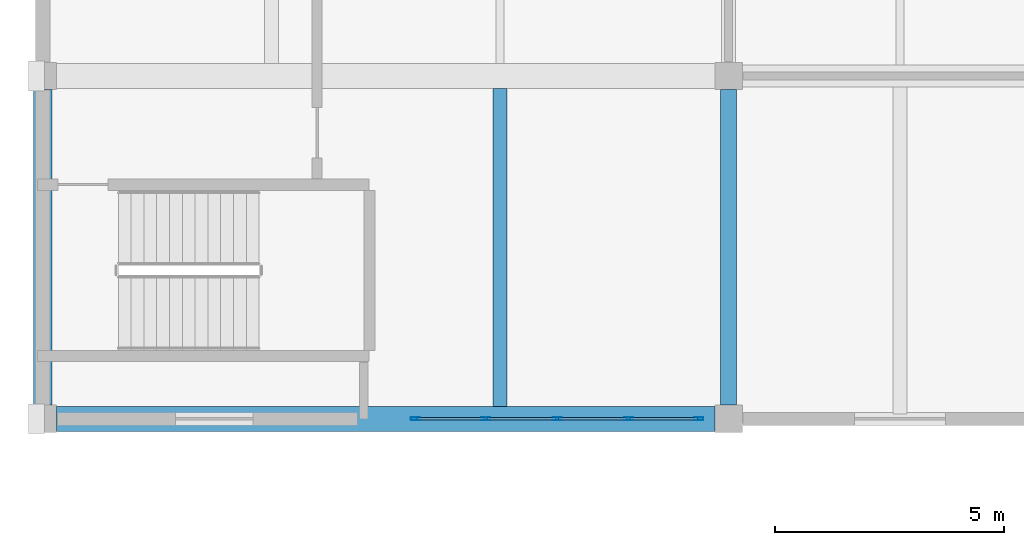
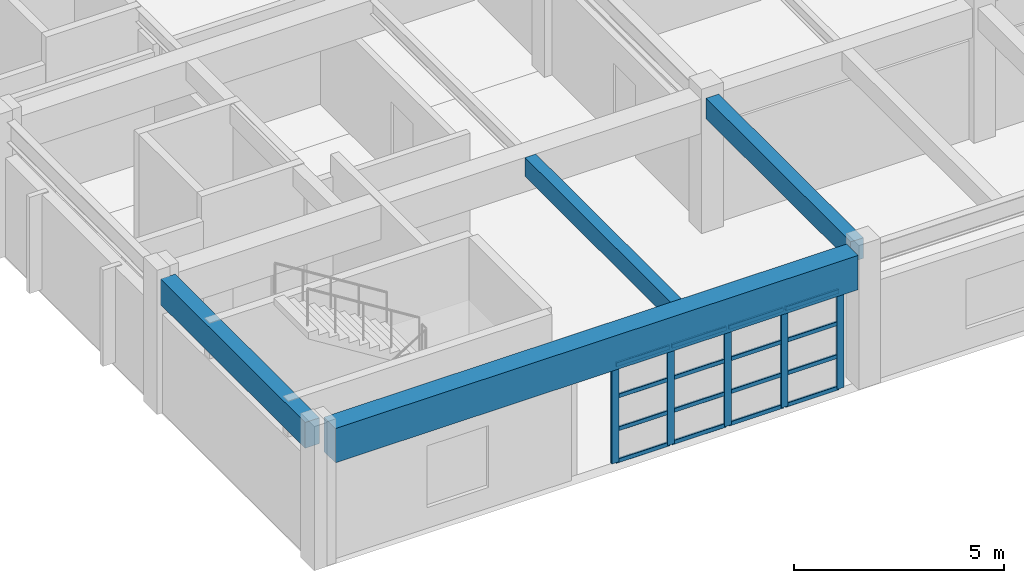
# One storey, part 41 of 124: 21 members, 4 beams, 1 element without a shape of its own.
"""IFC4 building model written with IfcOpenShell, lengths in metres."""

from ifc_helpers import new_model, si_unit, direction, frame, origin, origin_2d, place, context, subcontext, project, spatial, rectangle, hollow_rectangle, extrude, material, material_profile, profile_set, type_object, element, aggregate, save


model = new_model("IFC4")

# Units and contexts
model_context = context("Model", 3, precision=1e-05, world=origin(), true_north=direction((0.0, 1.0)))
body_context = subcontext(model_context, "Body", "Model", "MODEL_VIEW")
ifc_project = project(units=[si_unit("LENGTHUNIT", "METRE"), si_unit("AREAUNIT", "SQUARE_METRE"), si_unit("VOLUMEUNIT", "CUBIC_METRE"), si_unit("PLANEANGLEUNIT", "RADIAN"), si_unit("MASSUNIT", "GRAM", prefix="KILO")], contexts=[model_context])

# Site, building, storey
site_placement = place(None, origin())
site = spatial("IfcSite", under=ifc_project, at=site_placement, CompositionType="ELEMENT")
building_placement = place(site_placement, origin())
building = spatial("IfcBuilding", under=site, at=building_placement, Name="Qasida Concert Hall", CompositionType="ELEMENT")
storey_placement = place(building_placement, frame((0.0, 0.0, 9.0)))
storey = spatial("IfcBuildingStorey", under=building, at=storey_placement, Name="L02", CompositionType="ELEMENT", Elevation=9.0)

# Beams
ifc_material_1 = material(Name="Concrete C40/50", Category="concrete")
ifc_material_profile_1 = material_profile(ifc_material_1, rectangle(XDim=0.35009765625, YDim=0.60009765625, at=origin_2d()), Name="RC 350x600")
ifc_profile_set_1 = profile_set([ifc_material_profile_1], Name="Concrete C40/50")
beam_type_1 = type_object("IfcBeamType", Name="BM-B2", PredefinedType="BEAM", material=ifc_profile_set_1)
beam_1_placement = place(storey_placement, frame((15.0, 75.300048828125, 3.60009765625), z_axis=(0.0, 1.0, 0.0), x_axis=(-1.0, 0.0, 0.0)))
element("IfcBeam", 1, at=beam_1_placement, inside=storey, type_object=beam_type_1, Name="L02 girder 1467", PredefinedType="BEAM", context=body_context, shape_type="SweptSolid", body=[
    extrude(rectangle(XDim=0.35009765625, YDim=0.60009765625, at=origin_2d()), origin(), (0.0, 0.0, 1.0), 6.89990234375),
])
ifc_material_profile_2 = material_profile(ifc_material_1, rectangle(XDim=0.550048828125, YDim=1.0, at=origin_2d()), Name="RC 550x1000")
ifc_profile_set_2 = profile_set([ifc_material_profile_2], Name="Concrete C40/50")
beam_type_2 = type_object("IfcBeamType", Name="BM-G3", PredefinedType="USERDEFINED", material=ifc_profile_set_2)
beam_2_placement = place(storey_placement, frame((0.300048828125, 75.0, 3.39990234375), z_axis=(1.0, 0.0, 0.0), x_axis=(0.0, 1.0, 0.0)))
element("IfcBeam", 2, at=beam_2_placement, inside=storey, type_object=beam_type_2, Name="Primary girder 1438", ObjectType="GIRDER", PredefinedType="USERDEFINED", context=body_context, shape_type="SweptSolid", body=[
    extrude(rectangle(XDim=0.550048828125, YDim=1.0, at=origin_2d()), origin(), (0.0, 0.0, 1.0), 14.39990234375),
])
ifc_material_profile_3 = material_profile(ifc_material_1, rectangle(XDim=0.300048828125, YDim=0.550048828125, at=origin_2d()), Name="RC 300x550")
ifc_profile_set_3 = profile_set([ifc_material_profile_3], Name="Concrete C40/50")
beam_type_3 = type_object("IfcBeamType", Name="BM-J1", PredefinedType="JOIST", material=ifc_profile_set_3)
beam_3_placement = place(storey_placement, frame((10.0, 75.27490234375, 3.625), z_axis=(0.0, 1.0, 0.0), x_axis=(-1.0, 0.0, 0.0)))
element("IfcBeam", 3, at=beam_3_placement, inside=storey, type_object=beam_type_3, Name="L02 secondary joist 1487", PredefinedType="JOIST", context=body_context, shape_type="SweptSolid", body=[
    extrude(rectangle(XDim=0.300048828125, YDim=0.550048828125, at=origin_2d()), origin(), (0.0, 0.0, 1.0), 6.9501953125),
])
ifc_material_profile_4 = material_profile(ifc_material_1, rectangle(XDim=0.39990234375, YDim=0.75, at=origin_2d()), Name="RC 400x750")
ifc_profile_set_4 = profile_set([ifc_material_profile_4], Name="Concrete C40/50")
beam_type_4 = type_object("IfcBeamType", Name="BM-SP1", PredefinedType="SPANDREL", material=ifc_profile_set_4)
beam_4_placement = place(storey_placement, frame((0.0, 75.300048828125, 3.52490234375), z_axis=(0.0, 1.0, 0.0), x_axis=(-1.0, 0.0, 0.0)))
element("IfcBeam", 4, at=beam_4_placement, inside=storey, type_object=beam_type_4, Name="L02 girder 1462", PredefinedType="SPANDREL", context=body_context, shape_type="SweptSolid", body=[
    extrude(rectangle(XDim=0.39990234375, YDim=0.75, at=origin_2d()), origin(), (0.0, 0.0, 1.0), 6.89990234375),
])

# Curtain wall, members
ifc_material_2 = material(Name="Architectural bronze-anodized aluminium and low-E glass", Category="aluminium")
curtain_wall_type = type_object("IfcCurtainWallType", Name="CW-08", PredefinedType="NOTDEFINED", material=ifc_material_2)
curtain_wall_placement = place(storey_placement, origin())
curtain_wall = element("IfcCurtainWall", 5, at=curtain_wall_placement, inside=storey, type_object=curtain_wall_type, Name="L02 curtain wall CW-08 0188", PredefinedType="NOTDEFINED")
ifc_material_3 = material(Name="Architectural bronze-anodized aluminium EN AW-6063", Category="aluminium")
ifc_material_profile_5 = material_profile(ifc_material_3, hollow_rectangle(XDim=0.06494140625, YDim=0.199951171875, WallThickness=0.0048828125, InnerFilletRadius=0.0048828125, OuterFilletRadius=0.010009765625, at=origin_2d()), Name="CWM 200x65x5")
ifc_profile_set_5 = profile_set([ifc_material_profile_5], Name="Architectural bronze-anodized aluminium EN AW-6063")
member_type_1 = type_object("IfcMemberType", Name="MB-CWM-2", PredefinedType="MULLION", material=ifc_profile_set_5)
member_1_placement = place(storey_placement, frame((8.152587890625, 75.0, 0.0), z_axis=(0.0, 0.0, 1.0), x_axis=(0.0, 1.0, 0.0)))
member_1 = element("IfcMember", 6, at=member_1_placement, type_object=member_type_1, Name="CW-08 mullion 1", PredefinedType="MULLION", context=body_context, shape_type="SweptSolid", body=[
    extrude(hollow_rectangle(XDim=0.06494140625, YDim=0.199951171875, WallThickness=0.0048828125, InnerFilletRadius=0.0048828125, OuterFilletRadius=0.010009765625, at=origin_2d()), origin(), (0.0, 0.0, 1.0), 2.8701171875),
])
member_2_placement = place(storey_placement, frame((9.68505859375, 75.0, 0.0), z_axis=(0.0, 0.0, 1.0), x_axis=(0.0, 1.0, 0.0)))
member_2 = element("IfcMember", 7, at=member_2_placement, type_object=member_type_1, Name="CW-08 mullion 2", PredefinedType="MULLION", context=body_context, shape_type="SweptSolid", body=[
    extrude(hollow_rectangle(XDim=0.06494140625, YDim=0.199951171875, WallThickness=0.0048828125, InnerFilletRadius=0.0048828125, OuterFilletRadius=0.010009765625, at=origin_2d()), origin(), (0.0, 0.0, 1.0), 2.8701171875),
])
member_3_placement = place(storey_placement, frame((11.25, 75.0, 0.0), z_axis=(0.0, 0.0, 1.0), x_axis=(0.0, 1.0, 0.0)))
member_3 = element("IfcMember", 8, at=member_3_placement, type_object=member_type_1, Name="CW-08 mullion 3", PredefinedType="MULLION", context=body_context, shape_type="SweptSolid", body=[
    extrude(hollow_rectangle(XDim=0.06494140625, YDim=0.199951171875, WallThickness=0.0048828125, InnerFilletRadius=0.0048828125, OuterFilletRadius=0.010009765625, at=origin_2d()), origin(), (0.0, 0.0, 1.0), 2.8701171875),
])
member_4_placement = place(storey_placement, frame((12.81494140625, 75.0, 0.0), z_axis=(0.0, 0.0, 1.0), x_axis=(0.0, 1.0, 0.0)))
member_4 = element("IfcMember", 9, at=member_4_placement, type_object=member_type_1, Name="CW-08 mullion 4", PredefinedType="MULLION", context=body_context, shape_type="SweptSolid", body=[
    extrude(hollow_rectangle(XDim=0.06494140625, YDim=0.199951171875, WallThickness=0.0048828125, InnerFilletRadius=0.0048828125, OuterFilletRadius=0.010009765625, at=origin_2d()), origin(), (0.0, 0.0, 1.0), 2.8701171875),
])
member_5_placement = place(storey_placement, frame((14.347412109375, 75.0, 0.0), z_axis=(0.0, 0.0, 1.0), x_axis=(0.0, 1.0, 0.0)))
member_5 = element("IfcMember", 10, at=member_5_placement, type_object=member_type_1, Name="CW-08 mullion 5", PredefinedType="MULLION", context=body_context, shape_type="SweptSolid", body=[
    extrude(hollow_rectangle(XDim=0.06494140625, YDim=0.199951171875, WallThickness=0.0048828125, InnerFilletRadius=0.0048828125, OuterFilletRadius=0.010009765625, at=origin_2d()), origin(), (0.0, 0.0, 1.0), 2.8701171875),
])
ifc_material_profile_6 = material_profile(ifc_material_3, hollow_rectangle(XDim=0.06005859375, YDim=0.1201171875, WallThickness=0.00390625, InnerFilletRadius=0.00390625, OuterFilletRadius=0.008056640625, at=origin_2d()), Name="CWT 120x60x4")
ifc_profile_set_6 = profile_set([ifc_material_profile_6], Name="Architectural bronze-anodized aluminium EN AW-6063")
member_type_2 = type_object("IfcMemberType", Name="MB-CWT-2", PredefinedType="USERDEFINED", material=ifc_profile_set_6)
member_6_placement = place(storey_placement, frame((8.18505859375, 75.0, 0.030029296875), z_axis=(1.0, 0.0, 0.0), x_axis=(0.0, 1.0, 0.0)))
member_6 = element("IfcMember", 11, at=member_6_placement, type_object=member_type_2, Name="CW-08 transom 1.1", ObjectType="TRANSOM", PredefinedType="USERDEFINED", context=body_context, shape_type="SweptSolid", body=[
    extrude(hollow_rectangle(XDim=0.06005859375, YDim=0.1201171875, WallThickness=0.00390625, InnerFilletRadius=0.00390625, OuterFilletRadius=0.008056640625, at=origin_2d()), origin(), (0.0, 0.0, 1.0), 1.467529296875),
])
member_7_placement = place(storey_placement, frame((8.18505859375, 75.0, 0.956787109375), z_axis=(1.0, 0.0, 0.0), x_axis=(0.0, 1.0, 0.0)))
member_7 = element("IfcMember", 12, at=member_7_placement, type_object=member_type_2, Name="CW-08 transom 1.2", ObjectType="TRANSOM", PredefinedType="USERDEFINED", context=body_context, shape_type="SweptSolid", body=[
    extrude(hollow_rectangle(XDim=0.06005859375, YDim=0.1201171875, WallThickness=0.00390625, InnerFilletRadius=0.00390625, OuterFilletRadius=0.008056640625, at=origin_2d()), origin(), (0.0, 0.0, 1.0), 1.467529296875),
])
member_8_placement = place(storey_placement, frame((8.18505859375, 75.0, 1.913330078125), z_axis=(1.0, 0.0, 0.0), x_axis=(0.0, 1.0, 0.0)))
member_8 = element("IfcMember", 13, at=member_8_placement, type_object=member_type_2, Name="CW-08 transom 1.3", ObjectType="TRANSOM", PredefinedType="USERDEFINED", context=body_context, shape_type="SweptSolid", body=[
    extrude(hollow_rectangle(XDim=0.06005859375, YDim=0.1201171875, WallThickness=0.00390625, InnerFilletRadius=0.00390625, OuterFilletRadius=0.008056640625, at=origin_2d()), origin(), (0.0, 0.0, 1.0), 1.467529296875),
])
member_9_placement = place(storey_placement, frame((8.18505859375, 75.0, 2.840087890625), z_axis=(1.0, 0.0, 0.0), x_axis=(0.0, 1.0, 0.0)))
member_9 = element("IfcMember", 14, at=member_9_placement, type_object=member_type_2, Name="CW-08 transom 1.4", ObjectType="TRANSOM", PredefinedType="USERDEFINED", context=body_context, shape_type="SweptSolid", body=[
    extrude(hollow_rectangle(XDim=0.06005859375, YDim=0.1201171875, WallThickness=0.00390625, InnerFilletRadius=0.00390625, OuterFilletRadius=0.008056640625, at=origin_2d()), origin(), (0.0, 0.0, 1.0), 1.467529296875),
])
member_10_placement = place(storey_placement, frame((9.717529296875, 75.0, 0.030029296875), z_axis=(1.0, 0.0, 0.0), x_axis=(0.0, 1.0, 0.0)))
member_10 = element("IfcMember", 15, at=member_10_placement, type_object=member_type_2, Name="CW-08 transom 2.1", ObjectType="TRANSOM", PredefinedType="USERDEFINED", context=body_context, shape_type="SweptSolid", body=[
    extrude(hollow_rectangle(XDim=0.06005859375, YDim=0.1201171875, WallThickness=0.00390625, InnerFilletRadius=0.00390625, OuterFilletRadius=0.008056640625, at=origin_2d()), origin(), (0.0, 0.0, 1.0), 1.5),
])
member_11_placement = place(storey_placement, frame((9.717529296875, 75.0, 0.956787109375), z_axis=(1.0, 0.0, 0.0), x_axis=(0.0, 1.0, 0.0)))
member_11 = element("IfcMember", 16, at=member_11_placement, type_object=member_type_2, Name="CW-08 transom 2.2", ObjectType="TRANSOM", PredefinedType="USERDEFINED", context=body_context, shape_type="SweptSolid", body=[
    extrude(hollow_rectangle(XDim=0.06005859375, YDim=0.1201171875, WallThickness=0.00390625, InnerFilletRadius=0.00390625, OuterFilletRadius=0.008056640625, at=origin_2d()), origin(), (0.0, 0.0, 1.0), 1.5),
])
member_12_placement = place(storey_placement, frame((9.717529296875, 75.0, 1.913330078125), z_axis=(1.0, 0.0, 0.0), x_axis=(0.0, 1.0, 0.0)))
member_12 = element("IfcMember", 17, at=member_12_placement, type_object=member_type_2, Name="CW-08 transom 2.3", ObjectType="TRANSOM", PredefinedType="USERDEFINED", context=body_context, shape_type="SweptSolid", body=[
    extrude(hollow_rectangle(XDim=0.06005859375, YDim=0.1201171875, WallThickness=0.00390625, InnerFilletRadius=0.00390625, OuterFilletRadius=0.008056640625, at=origin_2d()), origin(), (0.0, 0.0, 1.0), 1.5),
])
member_13_placement = place(storey_placement, frame((9.717529296875, 75.0, 2.840087890625), z_axis=(1.0, 0.0, 0.0), x_axis=(0.0, 1.0, 0.0)))
member_13 = element("IfcMember", 18, at=member_13_placement, type_object=member_type_2, Name="CW-08 transom 2.4", ObjectType="TRANSOM", PredefinedType="USERDEFINED", context=body_context, shape_type="SweptSolid", body=[
    extrude(hollow_rectangle(XDim=0.06005859375, YDim=0.1201171875, WallThickness=0.00390625, InnerFilletRadius=0.00390625, OuterFilletRadius=0.008056640625, at=origin_2d()), origin(), (0.0, 0.0, 1.0), 1.5),
])
member_14_placement = place(storey_placement, frame((11.282470703125, 75.0, 0.030029296875), z_axis=(1.0, 0.0, 0.0), x_axis=(0.0, 1.0, 0.0)))
member_14 = element("IfcMember", 19, at=member_14_placement, type_object=member_type_2, Name="CW-08 transom 3.1", ObjectType="TRANSOM", PredefinedType="USERDEFINED", context=body_context, shape_type="SweptSolid", body=[
    extrude(hollow_rectangle(XDim=0.06005859375, YDim=0.1201171875, WallThickness=0.00390625, InnerFilletRadius=0.00390625, OuterFilletRadius=0.008056640625, at=origin_2d()), origin(), (0.0, 0.0, 1.0), 1.5),
])
member_15_placement = place(storey_placement, frame((11.282470703125, 75.0, 0.956787109375), z_axis=(1.0, 0.0, 0.0), x_axis=(0.0, 1.0, 0.0)))
member_15 = element("IfcMember", 20, at=member_15_placement, type_object=member_type_2, Name="CW-08 transom 3.2", ObjectType="TRANSOM", PredefinedType="USERDEFINED", context=body_context, shape_type="SweptSolid", body=[
    extrude(hollow_rectangle(XDim=0.06005859375, YDim=0.1201171875, WallThickness=0.00390625, InnerFilletRadius=0.00390625, OuterFilletRadius=0.008056640625, at=origin_2d()), origin(), (0.0, 0.0, 1.0), 1.5),
])
member_16_placement = place(storey_placement, frame((11.282470703125, 75.0, 1.913330078125), z_axis=(1.0, 0.0, 0.0), x_axis=(0.0, 1.0, 0.0)))
member_16 = element("IfcMember", 21, at=member_16_placement, type_object=member_type_2, Name="CW-08 transom 3.3", ObjectType="TRANSOM", PredefinedType="USERDEFINED", context=body_context, shape_type="SweptSolid", body=[
    extrude(hollow_rectangle(XDim=0.06005859375, YDim=0.1201171875, WallThickness=0.00390625, InnerFilletRadius=0.00390625, OuterFilletRadius=0.008056640625, at=origin_2d()), origin(), (0.0, 0.0, 1.0), 1.5),
])
member_17_placement = place(storey_placement, frame((11.282470703125, 75.0, 2.840087890625), z_axis=(1.0, 0.0, 0.0), x_axis=(0.0, 1.0, 0.0)))
member_17 = element("IfcMember", 22, at=member_17_placement, type_object=member_type_2, Name="CW-08 transom 3.4", ObjectType="TRANSOM", PredefinedType="USERDEFINED", context=body_context, shape_type="SweptSolid", body=[
    extrude(hollow_rectangle(XDim=0.06005859375, YDim=0.1201171875, WallThickness=0.00390625, InnerFilletRadius=0.00390625, OuterFilletRadius=0.008056640625, at=origin_2d()), origin(), (0.0, 0.0, 1.0), 1.5),
])
member_18_placement = place(storey_placement, frame((12.847412109375, 75.0, 0.030029296875), z_axis=(1.0, 0.0, 0.0), x_axis=(0.0, 1.0, 0.0)))
member_18 = element("IfcMember", 23, at=member_18_placement, type_object=member_type_2, Name="CW-08 transom 4.1", ObjectType="TRANSOM", PredefinedType="USERDEFINED", context=body_context, shape_type="SweptSolid", body=[
    extrude(hollow_rectangle(XDim=0.06005859375, YDim=0.1201171875, WallThickness=0.00390625, InnerFilletRadius=0.00390625, OuterFilletRadius=0.008056640625, at=origin_2d()), origin(), (0.0, 0.0, 1.0), 1.467529296875),
])
member_19_placement = place(storey_placement, frame((12.847412109375, 75.0, 0.956787109375), z_axis=(1.0, 0.0, 0.0), x_axis=(0.0, 1.0, 0.0)))
member_19 = element("IfcMember", 24, at=member_19_placement, type_object=member_type_2, Name="CW-08 transom 4.2", ObjectType="TRANSOM", PredefinedType="USERDEFINED", context=body_context, shape_type="SweptSolid", body=[
    extrude(hollow_rectangle(XDim=0.06005859375, YDim=0.1201171875, WallThickness=0.00390625, InnerFilletRadius=0.00390625, OuterFilletRadius=0.008056640625, at=origin_2d()), origin(), (0.0, 0.0, 1.0), 1.467529296875),
])
member_20_placement = place(storey_placement, frame((12.847412109375, 75.0, 1.913330078125), z_axis=(1.0, 0.0, 0.0), x_axis=(0.0, 1.0, 0.0)))
member_20 = element("IfcMember", 25, at=member_20_placement, type_object=member_type_2, Name="CW-08 transom 4.3", ObjectType="TRANSOM", PredefinedType="USERDEFINED", context=body_context, shape_type="SweptSolid", body=[
    extrude(hollow_rectangle(XDim=0.06005859375, YDim=0.1201171875, WallThickness=0.00390625, InnerFilletRadius=0.00390625, OuterFilletRadius=0.008056640625, at=origin_2d()), origin(), (0.0, 0.0, 1.0), 1.467529296875),
])
member_21_placement = place(storey_placement, frame((12.847412109375, 75.0, 2.840087890625), z_axis=(1.0, 0.0, 0.0), x_axis=(0.0, 1.0, 0.0)))
member_21 = element("IfcMember", 26, at=member_21_placement, type_object=member_type_2, Name="CW-08 transom 4.4", ObjectType="TRANSOM", PredefinedType="USERDEFINED", context=body_context, shape_type="SweptSolid", body=[
    extrude(hollow_rectangle(XDim=0.06005859375, YDim=0.1201171875, WallThickness=0.00390625, InnerFilletRadius=0.00390625, OuterFilletRadius=0.008056640625, at=origin_2d()), origin(), (0.0, 0.0, 1.0), 1.467529296875),
])
aggregate(curtain_wall, [member_1, member_2, member_3, member_4, member_5, member_6, member_7, member_8, member_9, member_10, member_11, member_12, member_13, member_14, member_15, member_16, member_17, member_18, member_19, member_20, member_21])

save(model, "model.ifc")
